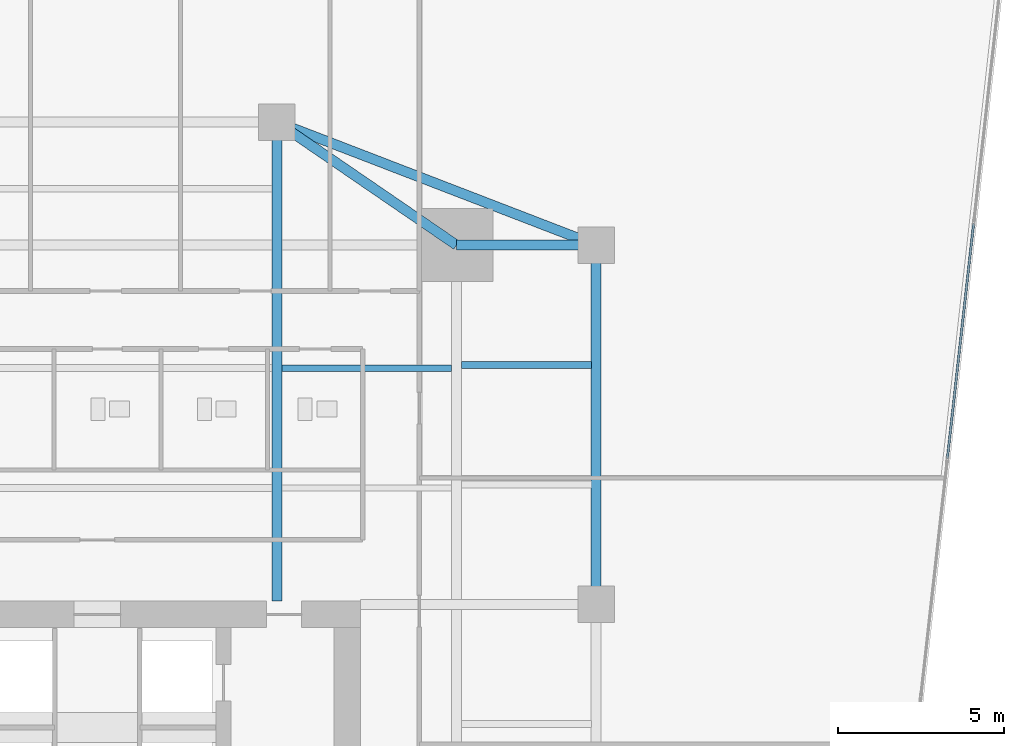
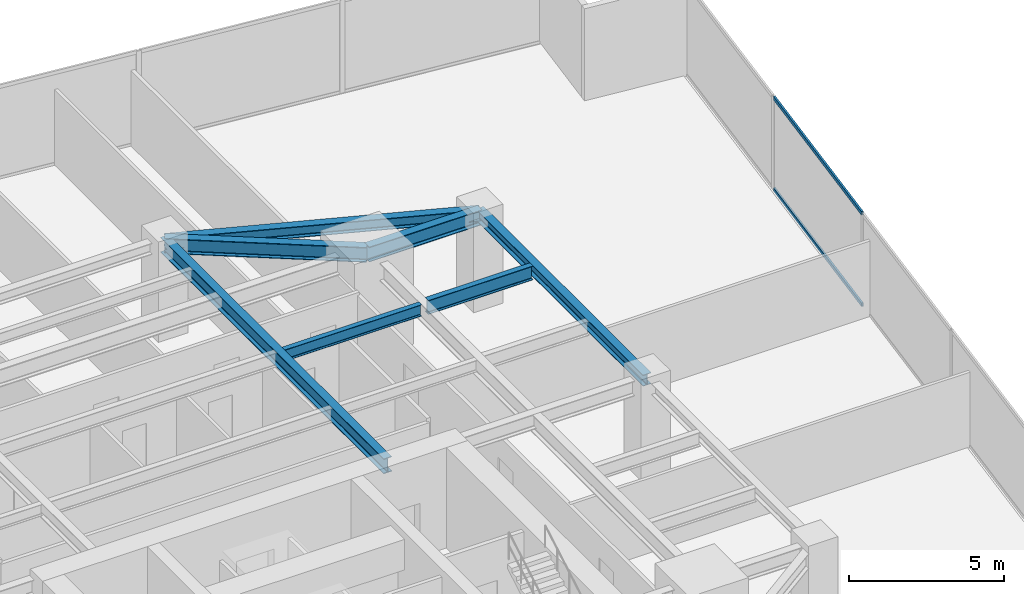
# One storey, part 20 of 31: 7 beams, 2 members, 1 element without a shape of its own.
"""IFC4 building model written with IfcOpenShell, lengths in metres."""

from ifc_helpers import new_model, si_unit, direction, frame, origin, origin_2d, place, context, subcontext, project, spatial, hollow_rectangle, i_section, extrude, source, transform, mapped, material, material_profile, profile_set, type_object, type_shapes, element, aggregate, save


model = new_model("IFC4")

# Units and contexts
model_context = context("Model", 3, precision=1e-05, world=origin(), true_north=direction((0.0, 1.0)))
body_context = subcontext(model_context, "Body", "Model", "MODEL_VIEW")
ifc_project = project(units=[si_unit("LENGTHUNIT", "METRE"), si_unit("AREAUNIT", "SQUARE_METRE"), si_unit("VOLUMEUNIT", "CUBIC_METRE"), si_unit("PLANEANGLEUNIT", "RADIAN"), si_unit("MASSUNIT", "GRAM", prefix="KILO")], contexts=[model_context])

# Site, building, storey
site_placement = place(None, origin())
site = spatial("IfcSite", under=ifc_project, at=site_placement, CompositionType="ELEMENT")
building_placement = place(site_placement, origin())
building = spatial("IfcBuilding", under=site, at=building_placement, Name="Krantzveldt Concourse Tower", CompositionType="ELEMENT")
storey_placement = place(building_placement, frame((0.0, 0.0, 56.60009765625)))
storey = spatial("IfcBuildingStorey", under=building, at=storey_placement, Name="L13", CompositionType="ELEMENT", Elevation=56.60009765625)

# Beams
ifc_material_1 = material(Name="Steel S355JR", Category="steel")
ifc_material_profile_1 = material_profile(ifc_material_1, i_section(OverallWidth=0.300048828125, OverallDepth=0.590087890625, WebThickness=0.012939453125, FlangeThickness=0.02490234375, FilletRadius=0.027099609375, at=origin_2d()), Name="Steel S355JR", Category="steel")
ifc_profile_set_1 = profile_set([ifc_material_profile_1], Name="Steel S355JR - HEA 600")
beam_type_1 = type_object("IfcBeamType", Name="BM-B-HEA600", PredefinedType="BEAM", material=ifc_profile_set_1)
shared_shape_1 = source(origin(), body_context, "Body", "SweptSolid", [
    extrude(i_section(OverallWidth=0.300048828125, OverallDepth=0.590087890625, WebThickness=0.012939453125, FlangeThickness=0.02490234375, FilletRadius=0.027099609375, at=origin_2d()), origin(), (0.0, 0.0, 1.0), 14.39990234375),
])
beam_1_placement = place(storey_placement, frame((41.39990234375, 26.800048828125, 3.375), z_axis=(0.0, 1.0, 0.0), x_axis=(-1.0, 0.0, 0.0)))
element("IfcBeam", 1, at=beam_1_placement, inside=storey, type_object=beam_type_1, Name="L13 Tower Girder BG-CNE", PredefinedType="BEAM", context=body_context, shape_type="MappedRepresentation", body=[
    mapped(shared_shape_1, transform((0.0, 0.0, 0.0), x_axis=(1.0, 0.0, 0.0), y_axis=(0.0, 1.0, 0.0), z_axis=(0.0, 0.0, 1.0), scale=1.0)),
])
ifc_material_profile_2 = material_profile(ifc_material_1, i_section(OverallWidth=0.300048828125, OverallDepth=0.43994140625, WebThickness=0.011474609375, FlangeThickness=0.02099609375, FilletRadius=0.027099609375, at=origin_2d()), Name="Steel S355JR", Category="steel")
ifc_profile_set_2 = profile_set([ifc_material_profile_2], Name="Steel S355JR - HEA 450")
beam_type_2 = type_object("IfcBeamType", Name="BM-SP-HEA450", PredefinedType="SPANDREL", material=ifc_profile_set_2)
shared_shape_2 = source(origin(), body_context, "Body", "SweptSolid", [
    extrude(i_section(OverallWidth=0.300048828125, OverallDepth=0.43994140625, WebThickness=0.011474609375, FlangeThickness=0.02099609375, FilletRadius=0.027099609375, at=origin_2d()), origin(), (0.0, 0.0, 1.0), 10.800048828125),
])
beam_2_placement = place(storey_placement, frame((51.0, 37.5, 3.449951171875), z_axis=(0.0, -1.0, 0.0), x_axis=(1.0, 0.0, 0.0)))
element("IfcBeam", 2, at=beam_2_placement, inside=storey, type_object=beam_type_2, Name="L13 Tower Girder SP-R06", PredefinedType="SPANDREL", context=body_context, shape_type="MappedRepresentation", body=[
    mapped(shared_shape_2, transform((0.0, 0.0, 0.0), x_axis=(1.0, 0.0, 0.0), y_axis=(0.0, 1.0, 0.0), z_axis=(0.0, 0.0, 1.0), scale=1.0)),
])
shared_shape_3 = source(origin(), body_context, "Body", "SweptSolid", [
    extrude(i_section(OverallWidth=0.300048828125, OverallDepth=0.43994140625, WebThickness=0.011474609375, FlangeThickness=0.02099609375, FilletRadius=0.027099609375, at=origin_2d()), origin(), (0.0, 0.0, 1.0), 10.288330078125),
])
type_shapes(beam_type_2, [shared_shape_2, shared_shape_3])
beam_3_placement = place(storey_placement, frame((41.39990234375, 41.199951171875, 3.449951171875), z_axis=(0.933097690408, -0.359622997257, 0.0), x_axis=(0.359622997257, 0.933097690408, 0.0)))
element("IfcBeam", 3, at=beam_3_placement, inside=storey, type_object=beam_type_2, Name="L13 Tower Girder SP-R05", PredefinedType="SPANDREL", context=body_context, shape_type="MappedRepresentation", body=[
    mapped(shared_shape_3, transform((0.0, 0.0, 0.0), x_axis=(1.0, 0.0, 0.0), y_axis=(0.0, 1.0, 0.0), z_axis=(0.0, 0.0, 1.0), scale=1.0)),
])
shared_shape_4 = source(origin(), body_context, "Body", "SweptSolid", [
    extrude(i_section(OverallWidth=0.300048828125, OverallDepth=0.590087890625, WebThickness=0.012939453125, FlangeThickness=0.02490234375, FilletRadius=0.027099609375, at=origin_2d()), origin(), (0.0, 0.0, 1.0), 4.199951171875),
])
beam_4_placement = place(storey_placement, frame((46.800048828125, 37.5, 3.375), z_axis=(1.0, 0.0, 0.0), x_axis=(0.0, 1.0, 0.0)))
element("IfcBeam", 4, at=beam_4_placement, inside=storey, type_object=beam_type_1, Name="L13 Tower Girder BR-RR3", PredefinedType="BEAM", context=body_context, shape_type="MappedRepresentation", body=[
    mapped(shared_shape_4, transform((0.0, 0.0, 0.0), x_axis=(1.0, 0.0, 0.0), y_axis=(0.0, 1.0, 0.0), z_axis=(0.0, 0.0, 1.0), scale=1.0)),
])
shared_shape_5 = source(origin(), body_context, "Body", "SweptSolid", [
    extrude(i_section(OverallWidth=0.300048828125, OverallDepth=0.590087890625, WebThickness=0.012939453125, FlangeThickness=0.02490234375, FilletRadius=0.027099609375, at=origin_2d()), origin(), (0.0, 0.0, 1.0), 6.546142578125),
])
type_shapes(beam_type_1, [shared_shape_1, shared_shape_4, shared_shape_5])
beam_5_placement = place(storey_placement, frame((46.800048828125, 37.5, 3.375), z_axis=(-0.824942999484, 0.565215930068, 0.0), x_axis=(-0.565215930068, -0.824942999484, 0.0)))
element("IfcBeam", 5, at=beam_5_placement, inside=storey, type_object=beam_type_1, Name="L13 Tower Girder BR-RR4", PredefinedType="BEAM", context=body_context, shape_type="MappedRepresentation", body=[
    mapped(shared_shape_5, transform((0.0, 0.0, 0.0), x_axis=(1.0, 0.0, 0.0), y_axis=(0.0, 1.0, 0.0), z_axis=(0.0, 0.0, 1.0), scale=1.0)),
])
ifc_material_profile_3 = material_profile(ifc_material_1, i_section(OverallWidth=0.18994140625, OverallDepth=0.449951171875, WebThickness=0.009521484375, FlangeThickness=0.0146484375, FilletRadius=0.02099609375, at=origin_2d()), Name="Steel S355JR", Category="steel")
ifc_profile_set_3 = profile_set([ifc_material_profile_3], Name="Steel S355JR - IPE 450")
beam_type_3 = type_object("IfcBeamType", Name="BM-J-IPE450", PredefinedType="JOIST", material=ifc_profile_set_3)
shared_shape_6 = source(origin(), body_context, "Body", "SweptSolid", [
    extrude(i_section(OverallWidth=0.18994140625, OverallDepth=0.449951171875, WebThickness=0.009521484375, FlangeThickness=0.0146484375, FilletRadius=0.02099609375, at=origin_2d()), origin(), (0.0, 0.0, 1.0), 5.099853515625),
])
type_shapes(beam_type_3, [shared_shape_6])
beam_6_placement = place(storey_placement, frame((41.550048828125, 33.800048828125, 3.44482421875), z_axis=(1.0, 0.0, 0.0), x_axis=(0.0, 1.0, 0.0)))
element("IfcBeam", 6, at=beam_6_placement, inside=storey, type_object=beam_type_3, Name="L13 Secondary Floor Joist JN-E2", PredefinedType="JOIST", context=body_context, shape_type="MappedRepresentation", body=[
    mapped(shared_shape_6, transform((0.0, 0.0, 0.0), x_axis=(1.0, 0.0, 0.0), y_axis=(0.0, 1.0, 0.0), z_axis=(0.0, 0.0, 1.0), scale=1.0)),
])
ifc_material_profile_4 = material_profile(ifc_material_1, i_section(OverallWidth=0.2099609375, OverallDepth=0.550048828125, WebThickness=0.010986328125, FlangeThickness=0.01708984375, FilletRadius=0.02392578125, at=origin_2d()), Name="Steel S355JR", Category="steel")
ifc_profile_set_4 = profile_set([ifc_material_profile_4], Name="Steel S355JR - IPE 550")
beam_type_4 = type_object("IfcBeamType", Name="BM-J-IPE550", PredefinedType="JOIST", material=ifc_profile_set_4)
shared_shape_7 = source(origin(), body_context, "Body", "SweptSolid", [
    extrude(i_section(OverallWidth=0.2099609375, OverallDepth=0.550048828125, WebThickness=0.010986328125, FlangeThickness=0.01708984375, FilletRadius=0.02392578125, at=origin_2d()), origin(), (0.0, 0.0, 1.0), 3.900146484375),
])
type_shapes(beam_type_4, [shared_shape_7])
beam_7_placement = place(storey_placement, frame((46.949951171875, 33.89990234375, 3.39501953125), z_axis=(1.0, 0.0, 0.0), x_axis=(0.0, 1.0, 0.0)))
element("IfcBeam", 7, at=beam_7_placement, inside=storey, type_object=beam_type_4, Name="L13 Secondary Floor Joist JE-4", PredefinedType="JOIST", context=body_context, shape_type="MappedRepresentation", body=[
    mapped(shared_shape_7, transform((0.0, 0.0, 0.0), x_axis=(1.0, 0.0, 0.0), y_axis=(0.0, 1.0, 0.0), z_axis=(0.0, 0.0, 1.0), scale=1.0)),
])

# Curtain wall, members
ifc_material_2 = material(Name="Anodised aluminium 6063-T6", Category="aluminium")
curtain_wall_type = type_object("IfcCurtainWallType", Name="CW2", PredefinedType="USERDEFINED", material=ifc_material_2)
curtain_wall_placement = place(storey_placement, origin())
curtain_wall = element("IfcCurtainWall", 8, at=curtain_wall_placement, inside=storey, type_object=curtain_wall_type, Name="CW-L13-F07", ObjectType="UNITISED CURTAIN WALL", PredefinedType="USERDEFINED")
ifc_material_profile_5 = material_profile(ifc_material_2, hollow_rectangle(XDim=0.070068359375, YDim=0.139892578125, WallThickness=0.0048828125, at=origin_2d()), Name="Anodised aluminium 6063-T6", Category="aluminium")
ifc_profile_set_5 = profile_set([ifc_material_profile_5], Name="Anodised aluminium 6063-T6 - ALU-TRAN 140x70x5")
member_type = type_object("IfcMemberType", Name="CW-TRN-150", PredefinedType="USERDEFINED", material=ifc_profile_set_5)
shared_shape_8 = source(origin(), body_context, "Body", "SweptSolid", [
    extrude(hollow_rectangle(XDim=0.070068359375, YDim=0.139892578125, WallThickness=0.0048828125, at=origin_2d()), origin(), (0.0, 0.0, 1.0), 7.0966796875),
])
type_shapes(member_type, [shared_shape_8])
member_1_placement = place(storey_placement, frame((61.5556640625, 31.09130859375, 0.034912109375), z_axis=(0.111016768449, 0.993818533296, 0.0), x_axis=(-0.993818533296, 0.111016768449, 0.0)))
member_1 = element("IfcMember", 9, at=member_1_placement, type_object=member_type, Name="CW-Z12 transom 5.1", ObjectType="TRANSOM", PredefinedType="USERDEFINED", context=body_context, shape_type="MappedRepresentation", body=[
    mapped(shared_shape_8, transform((0.0, 0.0, 0.0), x_axis=(1.0, 0.0, 0.0), y_axis=(0.0, 1.0, 0.0), z_axis=(0.0, 0.0, 1.0), scale=1.0)),
])
member_2_placement = place(storey_placement, frame((61.5556640625, 31.09130859375, 3.635009765625), z_axis=(0.111016768449, 0.993818533296, 0.0), x_axis=(-0.993818533296, 0.111016768449, 0.0)))
member_2 = element("IfcMember", 10, at=member_2_placement, type_object=member_type, Name="CW-Z12 transom 5.2", ObjectType="TRANSOM", PredefinedType="USERDEFINED", context=body_context, shape_type="MappedRepresentation", body=[
    mapped(shared_shape_8, transform((0.0, 0.0, 0.0), x_axis=(1.0, 0.0, 0.0), y_axis=(0.0, 1.0, 0.0), z_axis=(0.0, 0.0, 1.0), scale=1.0)),
])
aggregate(curtain_wall, [member_1, member_2])

save(model, "model.ifc")
